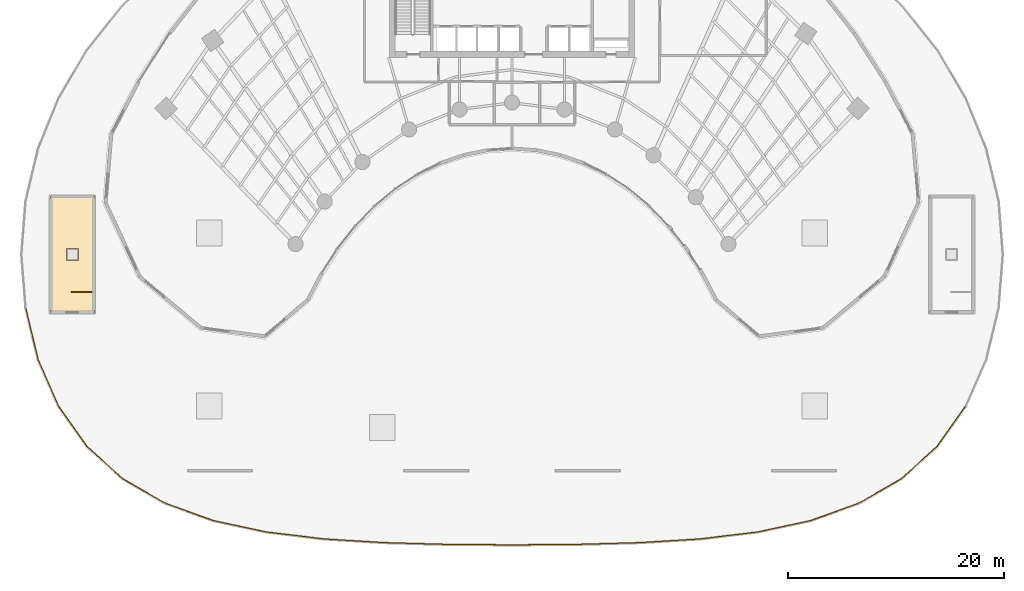
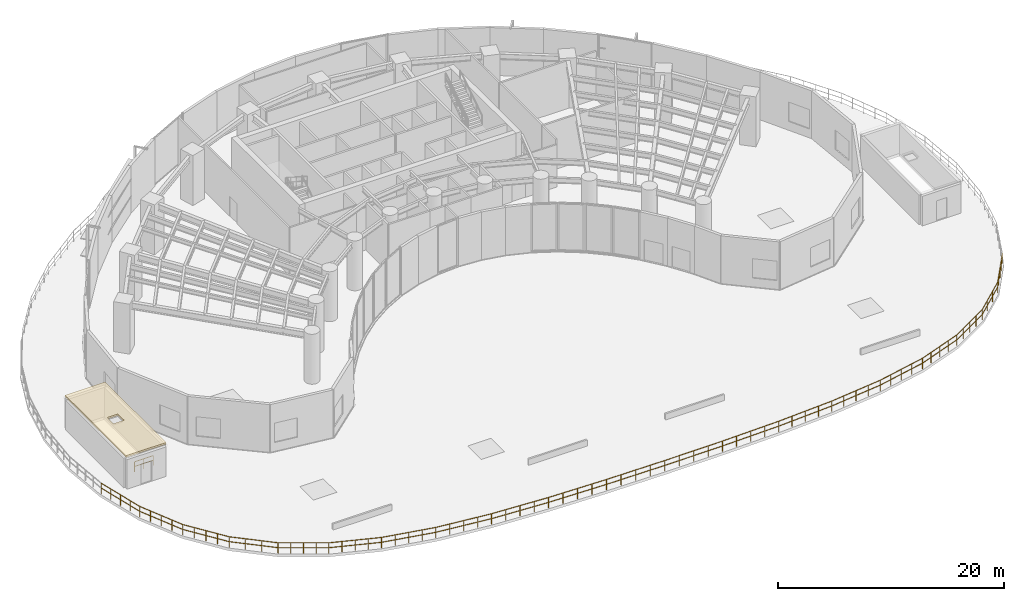
# One storey, part 14 of 17: 3 railings, 1 covering.
"""IFC4 building model written with IfcOpenShell, lengths in metres."""

from ifc_helpers import new_model, si_unit, direction, frame, origin, origin_2d, place, context, subcontext, project, spatial, polyline, rectangle, outline, extrude, material, layer, layer_set, type_object, element, save


model = new_model("IFC4")

# Units and contexts
model_context = context("Model", 3, precision=1e-05, world=origin(), true_north=direction((0.0, 1.0)))
body_context = subcontext(model_context, "Body", "Model", "MODEL_VIEW")
ifc_project = project(units=[si_unit("LENGTHUNIT", "METRE"), si_unit("AREAUNIT", "SQUARE_METRE"), si_unit("VOLUMEUNIT", "CUBIC_METRE"), si_unit("PLANEANGLEUNIT", "RADIAN"), si_unit("MASSUNIT", "GRAM", prefix="KILO")], contexts=[model_context])

# Site, building, storey
site_placement = place(None, origin())
site = spatial("IfcSite", under=ifc_project, at=site_placement, CompositionType="ELEMENT")
building_placement = place(site_placement, origin())
building = spatial("IfcBuilding", under=site, at=building_placement, Name="Breltana Convention Tower", CompositionType="ELEMENT")
storey_placement = place(building_placement, frame((0.0, 0.0, 30.0)))
storey = spatial("IfcBuildingStorey", under=building, at=storey_placement, Name="L05", CompositionType="ELEMENT", Elevation=30.0)

# Covering
ifc_material_1 = material(Name="Waterproof Insulated Bitumen Membrane")
ifc_layer = layer(ifc_material_1, 0.179931640625, Name="Waterproof Insulated Bitumen Membrane")
ifc_layer_set = layer_set([ifc_layer], Name="Waterproof Insulated Bitumen Membrane")
covering_type = type_object("IfcCoveringType", Name="COV-ROOFING-180", PredefinedType="ROOFING", material=ifc_layer_set)
covering_placement = place(storey_placement, frame((0.0, 0.0, 3.39990234375)))
element("IfcCovering", 1, at=covering_placement, inside=storey, type_object=covering_type, Name="L05 ST3 headhouse roof waterproofing", PredefinedType="ROOFING", context=body_context, shape_type="SweptSolid", body=[
    extrude(outline(polyline([(5.300048828125, 36.60009765625), (9.39990234375, 36.60009765625), (9.39990234375, 47.39990234375), (5.300048828125, 47.39990234375), (5.300048828125, 36.60009765625)]), holes=[polyline([(6.800048828125, 41.449951171875), (7.89990234375, 41.449951171875), (7.89990234375, 42.550048828125), (6.800048828125, 42.550048828125), (6.800048828125, 41.449951171875)])]), origin(), (0.0, 0.0, 1.0), 0.18017578125),
])

# Railings
ifc_material_2 = material(Name="Stainless Steel 316L", Category="steel")
railing_type_1 = type_object("IfcRailingType", Name="RL-BALUSTRADE-1150", PredefinedType="BALUSTRADE", material=ifc_material_2)
railing_1_placement = place(storey_placement, frame((89.9140625, 27.923583984375, 0.0)))
element("IfcRailing", 2, at=railing_1_placement, inside=storey, type_object=railing_type_1, Name="L05 perimeter balustrade 2", PredefinedType="BALUSTRADE", context=body_context, shape_type="SweptSolid", body=[
    extrude(rectangle(XDim=0.048095703125, YDim=0.048095703125, at=origin_2d()), frame((0.0, 0.0, 1.1259765625), z_axis=(-0.578751642274, -0.815503854414, 0.0), x_axis=(0.815503854414, -0.578751642274, 0.0)), (0.0, 0.0, 1.0), 4.518798828125),
    extrude(rectangle(XDim=0.048095703125, YDim=0.048095703125, at=origin_2d()), frame((0.0, 0.0, 0.597900390625), z_axis=(-0.578751642274, -0.815503854414, 0.0), x_axis=(0.815503854414, -0.578751642274, 0.0)), (0.0, 0.0, 1.0), 4.518798828125),
    extrude(rectangle(XDim=0.048095703125, YDim=0.048095703125, at=origin_2d()), frame((-2.615234375, -3.68505859375, 1.1259765625), z_axis=(-0.741586712293, -0.670857025118, 0.0), x_axis=(0.670857025118, -0.741586712293, 0.0)), (0.0, 0.0, 1.0), 4.428466796875),
    extrude(rectangle(XDim=0.048095703125, YDim=0.048095703125, at=origin_2d()), frame((-2.615234375, -3.68505859375, 0.597900390625), z_axis=(-0.741586712293, -0.670857025118, 0.0), x_axis=(0.670857025118, -0.741586712293, 0.0)), (0.0, 0.0, 1.0), 4.428466796875),
    extrude(rectangle(XDim=0.048095703125, YDim=0.048095703125, at=origin_2d()), frame((-5.8994140625, -6.656005859375, 1.1259765625), z_axis=(-0.865281640955, -0.501286027958, 0.0), x_axis=(0.501286027958, -0.865281640955, 0.0)), (0.0, 0.0, 1.0), 4.508056640625),
    extrude(rectangle(XDim=0.048095703125, YDim=0.048095703125, at=origin_2d()), frame((-5.8994140625, -6.656005859375, 0.597900390625), z_axis=(-0.865281640955, -0.501286027958, 0.0), x_axis=(0.501286027958, -0.865281640955, 0.0)), (0.0, 0.0, 1.0), 4.508056640625),
    extrude(rectangle(XDim=0.048095703125, YDim=0.048095703125, at=origin_2d()), frame((-9.800048828125, -8.915771484375, 1.1259765625), z_axis=(-0.940440406601, -0.339958588113, 0.0), x_axis=(0.339958588113, -0.940440406601, 0.0)), (0.0, 0.0, 1.0), 4.736083984375),
    extrude(rectangle(XDim=0.048095703125, YDim=0.048095703125, at=origin_2d()), frame((-9.800048828125, -8.915771484375, 0.597900390625), z_axis=(-0.940440406601, -0.339958588113, 0.0), x_axis=(0.339958588113, -0.940440406601, 0.0)), (0.0, 0.0, 1.0), 4.736083984375),
    extrude(rectangle(XDim=0.048095703125, YDim=0.048095703125, at=origin_2d()), frame((-14.254150390625, -10.52587890625, 1.1259765625), z_axis=(-0.977542544647, -0.210738163144, 0.0), x_axis=(0.210738163144, -0.977542544647, 0.0)), (0.0, 0.0, 1.0), 5.04638671875),
    extrude(rectangle(XDim=0.048095703125, YDim=0.048095703125, at=origin_2d()), frame((-14.254150390625, -10.52587890625, 0.597900390625), z_axis=(-0.977542544647, -0.210738163144, 0.0), x_axis=(0.210738163144, -0.977542544647, 0.0)), (0.0, 0.0, 1.0), 5.04638671875),
    extrude(rectangle(XDim=0.048095703125, YDim=0.048095703125, at=origin_2d()), frame((-19.187255859375, -11.58935546875, 1.1259765625), z_axis=(-0.9928203207, -0.119615261588, 0.0), x_axis=(0.119615261588, -0.9928203207, 0.0)), (0.0, 0.0, 1.0), 5.365966796875),
    extrude(rectangle(XDim=0.048095703125, YDim=0.048095703125, at=origin_2d()), frame((-19.187255859375, -11.58935546875, 0.597900390625), z_axis=(-0.9928203207, -0.119615261588, 0.0), x_axis=(0.119615261588, -0.9928203207, 0.0)), (0.0, 0.0, 1.0), 5.365966796875),
    extrude(rectangle(XDim=0.048095703125, YDim=0.048095703125, at=origin_2d()), frame((-24.5146484375, -12.231201171875, 1.1259765625), z_axis=(-0.998103777564, -0.061553628749, 0.0), x_axis=(0.061553628749, -0.998103777564, 0.0)), (0.0, 0.0, 1.0), 5.64013671875),
    extrude(rectangle(XDim=0.048095703125, YDim=0.048095703125, at=origin_2d()), frame((-24.5146484375, -12.231201171875, 0.597900390625), z_axis=(-0.998103777564, -0.061553628749, 0.0), x_axis=(0.061553628749, -0.998103777564, 0.0)), (0.0, 0.0, 1.0), 5.64013671875),
    extrude(rectangle(XDim=0.048095703125, YDim=0.048095703125, at=origin_2d()), frame((-30.14404296875, -12.578369140625, 1.1259765625), z_axis=(-0.999623367143, -0.027443102274, 0.0), x_axis=(0.027443102274, -0.999623367143, 0.0)), (0.0, 0.0, 1.0), 5.8359375),
    extrude(rectangle(XDim=0.048095703125, YDim=0.048095703125, at=origin_2d()), frame((-30.14404296875, -12.578369140625, 0.597900390625), z_axis=(-0.999623367143, -0.027443102274, 0.0), x_axis=(0.027443102274, -0.999623367143, 0.0)), (0.0, 0.0, 1.0), 5.8359375),
    extrude(rectangle(XDim=0.048095703125, YDim=0.048095703125, at=origin_2d()), frame((-35.977783203125, -12.738525390625, 1.1259765625), z_axis=(-0.999971056832, -0.007608251923, 0.0), x_axis=(0.007608251923, -0.999971056832, 0.0)), (0.0, 0.0, 1.0), 5.9365234375),
    extrude(rectangle(XDim=0.048095703125, YDim=0.048095703125, at=origin_2d()), frame((-35.977783203125, -12.738525390625, 0.597900390625), z_axis=(-0.999971056832, -0.007608251923, 0.0), x_axis=(0.007608251923, -0.999971056832, 0.0)), (0.0, 0.0, 1.0), 5.9365234375),
    extrude(rectangle(XDim=0.048095703125, YDim=0.048095703125, at=origin_2d()), frame((-41.9140625, -12.78369140625, 1.1259765625), z_axis=(-0.999971056832, 0.007608251923, 0.0), x_axis=(-0.007608251923, -0.999971056832, 0.0)), (0.0, 0.0, 1.0), 5.9365234375),
    extrude(rectangle(XDim=0.048095703125, YDim=0.048095703125, at=origin_2d()), frame((-41.9140625, -12.78369140625, 0.597900390625), z_axis=(-0.999971056832, 0.007608251923, 0.0), x_axis=(-0.007608251923, -0.999971056832, 0.0)), (0.0, 0.0, 1.0), 5.9365234375),
    extrude(rectangle(XDim=0.0419921875, YDim=0.0419921875, at=origin_2d()), origin(), (0.0, 0.0, 1.0), 1.101806640625),
    extrude(rectangle(XDim=0.0419921875, YDim=0.0419921875, at=origin_2d()), frame((-0.65380859375, -0.92138671875, 0.0)), (0.0, 0.0, 1.0), 1.101806640625),
    extrude(rectangle(XDim=0.0419921875, YDim=0.0419921875, at=origin_2d()), frame((-1.3076171875, -1.842529296875, 0.0)), (0.0, 0.0, 1.0), 1.101806640625),
    extrude(rectangle(XDim=0.0419921875, YDim=0.0419921875, at=origin_2d()), frame((-1.96142578125, -2.763671875, 0.0)), (0.0, 0.0, 1.0), 1.101806640625),
    extrude(rectangle(XDim=0.0419921875, YDim=0.0419921875, at=origin_2d()), frame((-2.615234375, -3.68505859375, 0.0)), (0.0, 0.0, 1.0), 1.101806640625),
    extrude(rectangle(XDim=0.0419921875, YDim=0.0419921875, at=origin_2d()), frame((-3.7099609375, -4.67529296875, 0.0)), (0.0, 0.0, 1.0), 1.101806640625),
    extrude(rectangle(XDim=0.0419921875, YDim=0.0419921875, at=origin_2d()), frame((-4.8046875, -5.665771484375, 0.0)), (0.0, 0.0, 1.0), 1.101806640625),
    extrude(rectangle(XDim=0.0419921875, YDim=0.0419921875, at=origin_2d()), frame((-5.8994140625, -6.656005859375, 0.0)), (0.0, 0.0, 1.0), 1.101806640625),
    extrude(rectangle(XDim=0.0419921875, YDim=0.0419921875, at=origin_2d()), frame((-6.87451171875, -7.220947265625, 0.0)), (0.0, 0.0, 1.0), 1.101806640625),
    extrude(rectangle(XDim=0.0419921875, YDim=0.0419921875, at=origin_2d()), frame((-7.849609375, -7.785888671875, 0.0)), (0.0, 0.0, 1.0), 1.101806640625),
    extrude(rectangle(XDim=0.0419921875, YDim=0.0419921875, at=origin_2d()), frame((-8.824951171875, -8.350830078125, 0.0)), (0.0, 0.0, 1.0), 1.101806640625),
    extrude(rectangle(XDim=0.0419921875, YDim=0.0419921875, at=origin_2d()), frame((-9.800048828125, -8.915771484375, 0.0)), (0.0, 0.0, 1.0), 1.101806640625),
    extrude(rectangle(XDim=0.0419921875, YDim=0.0419921875, at=origin_2d()), frame((-10.91357421875, -9.318359375, 0.0)), (0.0, 0.0, 1.0), 1.101806640625),
    extrude(rectangle(XDim=0.0419921875, YDim=0.0419921875, at=origin_2d()), frame((-12.027099609375, -9.720703125, 0.0)), (0.0, 0.0, 1.0), 1.101806640625),
    extrude(rectangle(XDim=0.0419921875, YDim=0.0419921875, at=origin_2d()), frame((-13.140625, -10.123291015625, 0.0)), (0.0, 0.0, 1.0), 1.101806640625),
    extrude(rectangle(XDim=0.0419921875, YDim=0.0419921875, at=origin_2d()), frame((-14.254150390625, -10.52587890625, 0.0)), (0.0, 0.0, 1.0), 1.101806640625),
    extrude(rectangle(XDim=0.0419921875, YDim=0.0419921875, at=origin_2d()), frame((-15.4873046875, -10.791748046875, 0.0)), (0.0, 0.0, 1.0), 1.101806640625),
    extrude(rectangle(XDim=0.0419921875, YDim=0.0419921875, at=origin_2d()), frame((-16.720703125, -11.0576171875, 0.0)), (0.0, 0.0, 1.0), 1.101806640625),
    extrude(rectangle(XDim=0.0419921875, YDim=0.0419921875, at=origin_2d()), frame((-17.9541015625, -11.323486328125, 0.0)), (0.0, 0.0, 1.0), 1.101806640625),
    extrude(rectangle(XDim=0.0419921875, YDim=0.0419921875, at=origin_2d()), frame((-19.187255859375, -11.58935546875, 0.0)), (0.0, 0.0, 1.0), 1.101806640625),
    extrude(rectangle(XDim=0.0419921875, YDim=0.0419921875, at=origin_2d()), frame((-20.51904296875, -11.749755859375, 0.0)), (0.0, 0.0, 1.0), 1.101806640625),
    extrude(rectangle(XDim=0.0419921875, YDim=0.0419921875, at=origin_2d()), frame((-21.85107421875, -11.91015625, 0.0)), (0.0, 0.0, 1.0), 1.101806640625),
    extrude(rectangle(XDim=0.0419921875, YDim=0.0419921875, at=origin_2d()), frame((-23.182861328125, -12.07080078125, 0.0)), (0.0, 0.0, 1.0), 1.101806640625),
    extrude(rectangle(XDim=0.0419921875, YDim=0.0419921875, at=origin_2d()), frame((-24.5146484375, -12.231201171875, 0.0)), (0.0, 0.0, 1.0), 1.101806640625),
    extrude(rectangle(XDim=0.0419921875, YDim=0.0419921875, at=origin_2d()), frame((-25.921875, -12.31787109375, 0.0)), (0.0, 0.0, 1.0), 1.101806640625),
    extrude(rectangle(XDim=0.0419921875, YDim=0.0419921875, at=origin_2d()), frame((-27.329345703125, -12.40478515625, 0.0)), (0.0, 0.0, 1.0), 1.101806640625),
    extrude(rectangle(XDim=0.0419921875, YDim=0.0419921875, at=origin_2d()), frame((-28.73681640625, -12.49169921875, 0.0)), (0.0, 0.0, 1.0), 1.101806640625),
    extrude(rectangle(XDim=0.0419921875, YDim=0.0419921875, at=origin_2d()), frame((-30.14404296875, -12.578369140625, 0.0)), (0.0, 0.0, 1.0), 1.101806640625),
    extrude(rectangle(XDim=0.0419921875, YDim=0.0419921875, at=origin_2d()), frame((-31.6025390625, -12.618408203125, 0.0)), (0.0, 0.0, 1.0), 1.101806640625),
    extrude(rectangle(XDim=0.0419921875, YDim=0.0419921875, at=origin_2d()), frame((-33.06103515625, -12.658447265625, 0.0)), (0.0, 0.0, 1.0), 1.101806640625),
    extrude(rectangle(XDim=0.0419921875, YDim=0.0419921875, at=origin_2d()), frame((-34.519287109375, -12.698486328125, 0.0)), (0.0, 0.0, 1.0), 1.101806640625),
    extrude(rectangle(XDim=0.0419921875, YDim=0.0419921875, at=origin_2d()), frame((-35.977783203125, -12.738525390625, 0.0)), (0.0, 0.0, 1.0), 1.101806640625),
    extrude(rectangle(XDim=0.0419921875, YDim=0.0419921875, at=origin_2d()), frame((-37.4619140625, -12.749755859375, 0.0)), (0.0, 0.0, 1.0), 1.101806640625),
    extrude(rectangle(XDim=0.0419921875, YDim=0.0419921875, at=origin_2d()), frame((-38.94580078125, -12.76123046875, 0.0)), (0.0, 0.0, 1.0), 1.101806640625),
    extrude(rectangle(XDim=0.0419921875, YDim=0.0419921875, at=origin_2d()), frame((-40.429931640625, -12.7724609375, 0.0)), (0.0, 0.0, 1.0), 1.101806640625),
    extrude(rectangle(XDim=0.0419921875, YDim=0.0419921875, at=origin_2d()), frame((-41.9140625, -12.78369140625, 0.0)), (0.0, 0.0, 1.0), 1.101806640625),
    extrude(rectangle(XDim=0.0419921875, YDim=0.0419921875, at=origin_2d()), frame((-43.398193359375, -12.7724609375, 0.0)), (0.0, 0.0, 1.0), 1.101806640625),
    extrude(rectangle(XDim=0.0419921875, YDim=0.0419921875, at=origin_2d()), frame((-44.88232421875, -12.76123046875, 0.0)), (0.0, 0.0, 1.0), 1.101806640625),
    extrude(rectangle(XDim=0.0419921875, YDim=0.0419921875, at=origin_2d()), frame((-46.3662109375, -12.749755859375, 0.0)), (0.0, 0.0, 1.0), 1.101806640625),
    extrude(rectangle(XDim=0.0419921875, YDim=0.0419921875, at=origin_2d()), frame((-47.850341796875, -12.738525390625, 0.0)), (0.0, 0.0, 1.0), 1.101806640625),
])
railing_2_placement = place(storey_placement, frame((42.063720703125, 15.18505859375, 0.0)))
element("IfcRailing", 3, at=railing_2_placement, inside=storey, type_object=railing_type_1, Name="L05 perimeter balustrade 3", PredefinedType="BALUSTRADE", context=body_context, shape_type="SweptSolid", body=[
    extrude(rectangle(XDim=0.048095703125, YDim=0.048095703125, at=origin_2d()), frame((0.0, 0.0, 1.1259765625), z_axis=(-0.999623367143, 0.027443102274, 0.0), x_axis=(-0.027443102274, -0.999623367143, 0.0)), (0.0, 0.0, 1.0), 5.8359375),
    extrude(rectangle(XDim=0.048095703125, YDim=0.048095703125, at=origin_2d()), frame((0.0, 0.0, 0.597900390625), z_axis=(-0.999623367143, 0.027443102274, 0.0), x_axis=(-0.027443102274, -0.999623367143, 0.0)), (0.0, 0.0, 1.0), 5.8359375),
    extrude(rectangle(XDim=0.048095703125, YDim=0.048095703125, at=origin_2d()), frame((-5.833740234375, 0.16015625, 1.1259765625), z_axis=(-0.998103777564, 0.061553628749, 0.0), x_axis=(-0.061553628749, -0.998103777564, 0.0)), (0.0, 0.0, 1.0), 5.64013671875),
    extrude(rectangle(XDim=0.048095703125, YDim=0.048095703125, at=origin_2d()), frame((-5.833740234375, 0.16015625, 0.597900390625), z_axis=(-0.998103777564, 0.061553628749, 0.0), x_axis=(-0.061553628749, -0.998103777564, 0.0)), (0.0, 0.0, 1.0), 5.64013671875),
    extrude(rectangle(XDim=0.048095703125, YDim=0.048095703125, at=origin_2d()), frame((-11.463134765625, 0.50732421875, 1.1259765625), z_axis=(-0.9928203207, 0.119615261588, 0.0), x_axis=(-0.119615261588, -0.9928203207, 0.0)), (0.0, 0.0, 1.0), 5.365966796875),
    extrude(rectangle(XDim=0.048095703125, YDim=0.048095703125, at=origin_2d()), frame((-11.463134765625, 0.50732421875, 0.597900390625), z_axis=(-0.9928203207, 0.119615261588, 0.0), x_axis=(-0.119615261588, -0.9928203207, 0.0)), (0.0, 0.0, 1.0), 5.365966796875),
    extrude(rectangle(XDim=0.048095703125, YDim=0.048095703125, at=origin_2d()), frame((-16.79052734375, 1.149169921875, 1.1259765625), z_axis=(-0.977542544647, 0.210738163144, 0.0), x_axis=(-0.210738163144, -0.977542544647, 0.0)), (0.0, 0.0, 1.0), 5.04638671875),
    extrude(rectangle(XDim=0.048095703125, YDim=0.048095703125, at=origin_2d()), frame((-16.79052734375, 1.149169921875, 0.597900390625), z_axis=(-0.977542544647, 0.210738163144, 0.0), x_axis=(-0.210738163144, -0.977542544647, 0.0)), (0.0, 0.0, 1.0), 5.04638671875),
    extrude(rectangle(XDim=0.048095703125, YDim=0.048095703125, at=origin_2d()), frame((-21.7236328125, 2.212646484375, 1.1259765625), z_axis=(-0.940440406601, 0.339958588113, 0.0), x_axis=(-0.339958588113, -0.940440406601, 0.0)), (0.0, 0.0, 1.0), 4.736083984375),
    extrude(rectangle(XDim=0.048095703125, YDim=0.048095703125, at=origin_2d()), frame((-21.7236328125, 2.212646484375, 0.597900390625), z_axis=(-0.940440406601, 0.339958588113, 0.0), x_axis=(-0.339958588113, -0.940440406601, 0.0)), (0.0, 0.0, 1.0), 4.736083984375),
    extrude(rectangle(XDim=0.048095703125, YDim=0.048095703125, at=origin_2d()), frame((-26.177734375, 3.82275390625, 1.1259765625), z_axis=(-0.865281640955, 0.501286027958, 0.0), x_axis=(-0.501286027958, -0.865281640955, 0.0)), (0.0, 0.0, 1.0), 4.508056640625),
    extrude(rectangle(XDim=0.048095703125, YDim=0.048095703125, at=origin_2d()), frame((-26.177734375, 3.82275390625, 0.597900390625), z_axis=(-0.865281640955, 0.501286027958, 0.0), x_axis=(-0.501286027958, -0.865281640955, 0.0)), (0.0, 0.0, 1.0), 4.508056640625),
    extrude(rectangle(XDim=0.048095703125, YDim=0.048095703125, at=origin_2d()), frame((-30.078369140625, 6.08251953125, 1.1259765625), z_axis=(-0.741586712293, 0.670857025118, 0.0), x_axis=(-0.670857025118, -0.741586712293, 0.0)), (0.0, 0.0, 1.0), 4.428466796875),
    extrude(rectangle(XDim=0.048095703125, YDim=0.048095703125, at=origin_2d()), frame((-30.078369140625, 6.08251953125, 0.597900390625), z_axis=(-0.741586712293, 0.670857025118, 0.0), x_axis=(-0.670857025118, -0.741586712293, 0.0)), (0.0, 0.0, 1.0), 4.428466796875),
    extrude(rectangle(XDim=0.048095703125, YDim=0.048095703125, at=origin_2d()), frame((-33.362548828125, 9.053466796875, 1.1259765625), z_axis=(-0.578751642274, 0.815503854414, 0.0), x_axis=(-0.815503854414, -0.578751642274, 0.0)), (0.0, 0.0, 1.0), 4.518798828125),
    extrude(rectangle(XDim=0.048095703125, YDim=0.048095703125, at=origin_2d()), frame((-33.362548828125, 9.053466796875, 0.597900390625), z_axis=(-0.578751642274, 0.815503854414, 0.0), x_axis=(-0.815503854414, -0.578751642274, 0.0)), (0.0, 0.0, 1.0), 4.518798828125),
    extrude(rectangle(XDim=0.048095703125, YDim=0.048095703125, at=origin_2d()), frame((-35.977783203125, 12.738525390625, 1.1259765625), z_axis=(-0.402245508859, 0.9155318403, 0.0), x_axis=(-0.9155318403, -0.402245508859, 0.0)), (0.0, 0.0, 1.0), 4.729248046875),
    extrude(rectangle(XDim=0.048095703125, YDim=0.048095703125, at=origin_2d()), frame((-35.977783203125, 12.738525390625, 0.597900390625), z_axis=(-0.402245508859, 0.9155318403, 0.0), x_axis=(-0.9155318403, -0.402245508859, 0.0)), (0.0, 0.0, 1.0), 4.729248046875),
    extrude(rectangle(XDim=0.048095703125, YDim=0.048095703125, at=origin_2d()), frame((-37.880126953125, 17.068359375, 1.1259765625), z_axis=(-0.233651142345, 0.972320494323, 0.0), x_axis=(-0.972320494323, -0.233651142345, 0.0)), (0.0, 0.0, 1.0), 4.945556640625),
    extrude(rectangle(XDim=0.048095703125, YDim=0.048095703125, at=origin_2d()), frame((-37.880126953125, 17.068359375, 0.597900390625), z_axis=(-0.233651142345, 0.972320494323, 0.0), x_axis=(-0.972320494323, -0.233651142345, 0.0)), (0.0, 0.0, 1.0), 4.945556640625),
    extrude(rectangle(XDim=0.0419921875, YDim=0.0419921875, at=origin_2d()), origin(), (0.0, 0.0, 1.0), 1.101806640625),
    extrude(rectangle(XDim=0.0419921875, YDim=0.0419921875, at=origin_2d()), frame((-1.45849609375, 0.0400390625, 0.0)), (0.0, 0.0, 1.0), 1.101806640625),
    extrude(rectangle(XDim=0.0419921875, YDim=0.0419921875, at=origin_2d()), frame((-2.9169921875, 0.080078125, 0.0)), (0.0, 0.0, 1.0), 1.101806640625),
    extrude(rectangle(XDim=0.0419921875, YDim=0.0419921875, at=origin_2d()), frame((-4.375244140625, 0.1201171875, 0.0)), (0.0, 0.0, 1.0), 1.101806640625),
    extrude(rectangle(XDim=0.0419921875, YDim=0.0419921875, at=origin_2d()), frame((-5.833740234375, 0.16015625, 0.0)), (0.0, 0.0, 1.0), 1.101806640625),
    extrude(rectangle(XDim=0.0419921875, YDim=0.0419921875, at=origin_2d()), frame((-7.2412109375, 0.2470703125, 0.0)), (0.0, 0.0, 1.0), 1.101806640625),
    extrude(rectangle(XDim=0.0419921875, YDim=0.0419921875, at=origin_2d()), frame((-8.6484375, 0.333740234375, 0.0)), (0.0, 0.0, 1.0), 1.101806640625),
    extrude(rectangle(XDim=0.0419921875, YDim=0.0419921875, at=origin_2d()), frame((-10.0556640625, 0.42041015625, 0.0)), (0.0, 0.0, 1.0), 1.101806640625),
    extrude(rectangle(XDim=0.0419921875, YDim=0.0419921875, at=origin_2d()), frame((-11.463134765625, 0.50732421875, 0.0)), (0.0, 0.0, 1.0), 1.101806640625),
    extrude(rectangle(XDim=0.0419921875, YDim=0.0419921875, at=origin_2d()), frame((-12.794921875, 0.667724609375, 0.0)), (0.0, 0.0, 1.0), 1.101806640625),
    extrude(rectangle(XDim=0.0419921875, YDim=0.0419921875, at=origin_2d()), frame((-14.126953125, 0.828125, 0.0)), (0.0, 0.0, 1.0), 1.101806640625),
    extrude(rectangle(XDim=0.0419921875, YDim=0.0419921875, at=origin_2d()), frame((-15.458740234375, 0.98876953125, 0.0)), (0.0, 0.0, 1.0), 1.101806640625),
    extrude(rectangle(XDim=0.0419921875, YDim=0.0419921875, at=origin_2d()), frame((-16.79052734375, 1.149169921875, 0.0)), (0.0, 0.0, 1.0), 1.101806640625),
    extrude(rectangle(XDim=0.0419921875, YDim=0.0419921875, at=origin_2d()), frame((-18.02392578125, 1.4150390625, 0.0)), (0.0, 0.0, 1.0), 1.101806640625),
    extrude(rectangle(XDim=0.0419921875, YDim=0.0419921875, at=origin_2d()), frame((-19.257080078125, 1.680908203125, 0.0)), (0.0, 0.0, 1.0), 1.101806640625),
    extrude(rectangle(XDim=0.0419921875, YDim=0.0419921875, at=origin_2d()), frame((-20.490234375, 1.94677734375, 0.0)), (0.0, 0.0, 1.0), 1.101806640625),
    extrude(rectangle(XDim=0.0419921875, YDim=0.0419921875, at=origin_2d()), frame((-21.7236328125, 2.212646484375, 0.0)), (0.0, 0.0, 1.0), 1.101806640625),
    extrude(rectangle(XDim=0.0419921875, YDim=0.0419921875, at=origin_2d()), frame((-22.837158203125, 2.615234375, 0.0)), (0.0, 0.0, 1.0), 1.101806640625),
    extrude(rectangle(XDim=0.0419921875, YDim=0.0419921875, at=origin_2d()), frame((-23.95068359375, 3.017578125, 0.0)), (0.0, 0.0, 1.0), 1.101806640625),
    extrude(rectangle(XDim=0.0419921875, YDim=0.0419921875, at=origin_2d()), frame((-25.064208984375, 3.420166015625, 0.0)), (0.0, 0.0, 1.0), 1.101806640625),
    extrude(rectangle(XDim=0.0419921875, YDim=0.0419921875, at=origin_2d()), frame((-26.177734375, 3.82275390625, 0.0)), (0.0, 0.0, 1.0), 1.101806640625),
    extrude(rectangle(XDim=0.0419921875, YDim=0.0419921875, at=origin_2d()), frame((-27.15283203125, 4.3876953125, 0.0)), (0.0, 0.0, 1.0), 1.101806640625),
    extrude(rectangle(XDim=0.0419921875, YDim=0.0419921875, at=origin_2d()), frame((-28.1279296875, 4.95263671875, 0.0)), (0.0, 0.0, 1.0), 1.101806640625),
    extrude(rectangle(XDim=0.0419921875, YDim=0.0419921875, at=origin_2d()), frame((-29.103271484375, 5.517578125, 0.0)), (0.0, 0.0, 1.0), 1.101806640625),
    extrude(rectangle(XDim=0.0419921875, YDim=0.0419921875, at=origin_2d()), frame((-30.078369140625, 6.08251953125, 0.0)), (0.0, 0.0, 1.0), 1.101806640625),
    extrude(rectangle(XDim=0.0419921875, YDim=0.0419921875, at=origin_2d()), frame((-31.173095703125, 7.07275390625, 0.0)), (0.0, 0.0, 1.0), 1.101806640625),
    extrude(rectangle(XDim=0.0419921875, YDim=0.0419921875, at=origin_2d()), frame((-32.267822265625, 8.063232421875, 0.0)), (0.0, 0.0, 1.0), 1.101806640625),
    extrude(rectangle(XDim=0.0419921875, YDim=0.0419921875, at=origin_2d()), frame((-33.362548828125, 9.053466796875, 0.0)), (0.0, 0.0, 1.0), 1.101806640625),
    extrude(rectangle(XDim=0.0419921875, YDim=0.0419921875, at=origin_2d()), frame((-34.016357421875, 9.974609375, 0.0)), (0.0, 0.0, 1.0), 1.101806640625),
    extrude(rectangle(XDim=0.0419921875, YDim=0.0419921875, at=origin_2d()), frame((-34.670166015625, 10.89599609375, 0.0)), (0.0, 0.0, 1.0), 1.101806640625),
    extrude(rectangle(XDim=0.0419921875, YDim=0.0419921875, at=origin_2d()), frame((-35.323974609375, 11.8173828125, 0.0)), (0.0, 0.0, 1.0), 1.101806640625),
    extrude(rectangle(XDim=0.0419921875, YDim=0.0419921875, at=origin_2d()), frame((-35.977783203125, 12.738525390625, 0.0)), (0.0, 0.0, 1.0), 1.101806640625),
    extrude(rectangle(XDim=0.0419921875, YDim=0.0419921875, at=origin_2d()), frame((-36.453369140625, 13.821044921875, 0.0)), (0.0, 0.0, 1.0), 1.101806640625),
    extrude(rectangle(XDim=0.0419921875, YDim=0.0419921875, at=origin_2d()), frame((-36.928955078125, 14.9033203125, 0.0)), (0.0, 0.0, 1.0), 1.101806640625),
    extrude(rectangle(XDim=0.0419921875, YDim=0.0419921875, at=origin_2d()), frame((-37.404541015625, 15.98583984375, 0.0)), (0.0, 0.0, 1.0), 1.101806640625),
    extrude(rectangle(XDim=0.0419921875, YDim=0.0419921875, at=origin_2d()), frame((-37.880126953125, 17.068359375, 0.0)), (0.0, 0.0, 1.0), 1.101806640625),
    extrude(rectangle(XDim=0.0419921875, YDim=0.0419921875, at=origin_2d()), frame((-38.1689453125, 18.2705078125, 0.0)), (0.0, 0.0, 1.0), 1.101806640625),
    extrude(rectangle(XDim=0.0419921875, YDim=0.0419921875, at=origin_2d()), frame((-38.4580078125, 19.47265625, 0.0)), (0.0, 0.0, 1.0), 1.101806640625),
    extrude(rectangle(XDim=0.0419921875, YDim=0.0419921875, at=origin_2d()), frame((-38.746826171875, 20.6748046875, 0.0)), (0.0, 0.0, 1.0), 1.101806640625),
    extrude(rectangle(XDim=0.0419921875, YDim=0.0419921875, at=origin_2d()), frame((-39.03564453125, 21.876953125, 0.0)), (0.0, 0.0, 1.0), 1.101806640625),
])
ifc_material_3 = material(Name="Steel S275 Painted", Category="steel")
railing_type_2 = type_object("IfcRailingType", Name="RL-STAIR-GUARD-1100", PredefinedType="GUARDRAIL", material=ifc_material_3)
railing_3_placement = place(storey_placement, frame((9.169921875, 38.510009765625, 0.0)))
element("IfcRailing", 4, at=railing_3_placement, inside=storey, type_object=railing_type_2, Name="L05 ST-3 top well guard 1", PredefinedType="GUARDRAIL", context=body_context, shape_type="SweptSolid", body=[
    extrude(rectangle(XDim=0.048095703125, YDim=0.048095703125, at=origin_2d()), frame((0.0, 0.0, 1.076171875), z_axis=(-1.0, 0.0, 0.0), x_axis=(0.0, -1.0, 0.0)), (0.0, 0.0, 1.0), 1.909912109375),
    extrude(rectangle(XDim=0.048095703125, YDim=0.048095703125, at=origin_2d()), frame((0.0, 0.0, 0.572021484375), z_axis=(-1.0, 0.0, 0.0), x_axis=(0.0, -1.0, 0.0)), (0.0, 0.0, 1.0), 1.909912109375),
    extrude(rectangle(XDim=0.0419921875, YDim=0.0419921875, at=origin_2d()), origin(), (0.0, 0.0, 1.0), 1.052001953125),
    extrude(rectangle(XDim=0.0419921875, YDim=0.0419921875, at=origin_2d()), frame((-0.955078125, 0.0, 0.0)), (0.0, 0.0, 1.0), 1.052001953125),
    extrude(rectangle(XDim=0.0419921875, YDim=0.0419921875, at=origin_2d()), frame((-1.909912109375, 0.0, 0.0)), (0.0, 0.0, 1.0), 1.052001953125),
])

save(model, "model.ifc")
